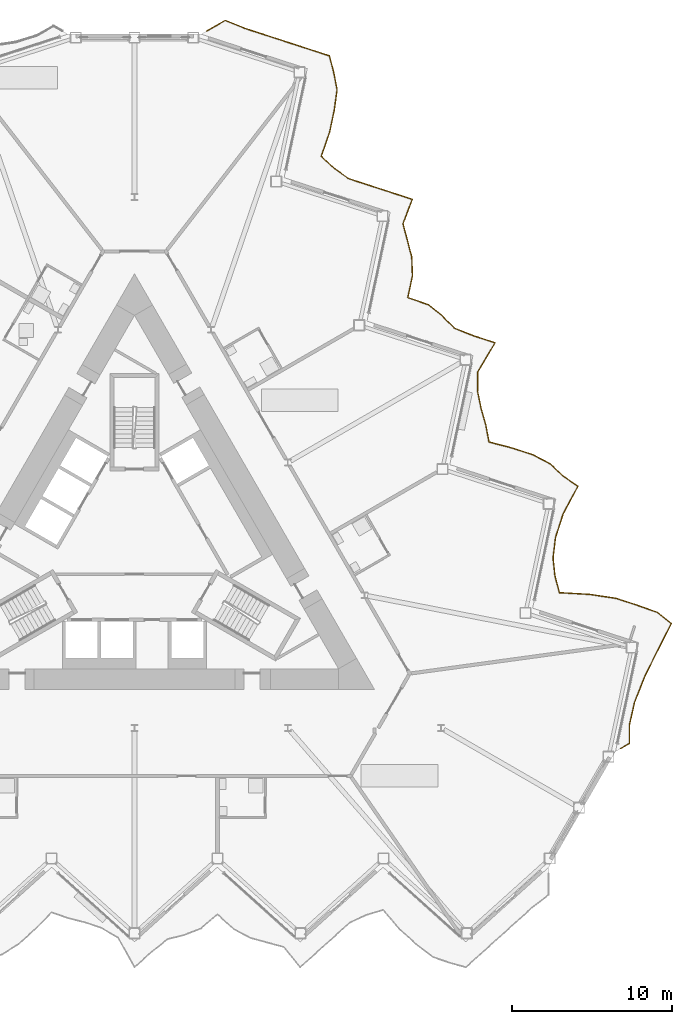
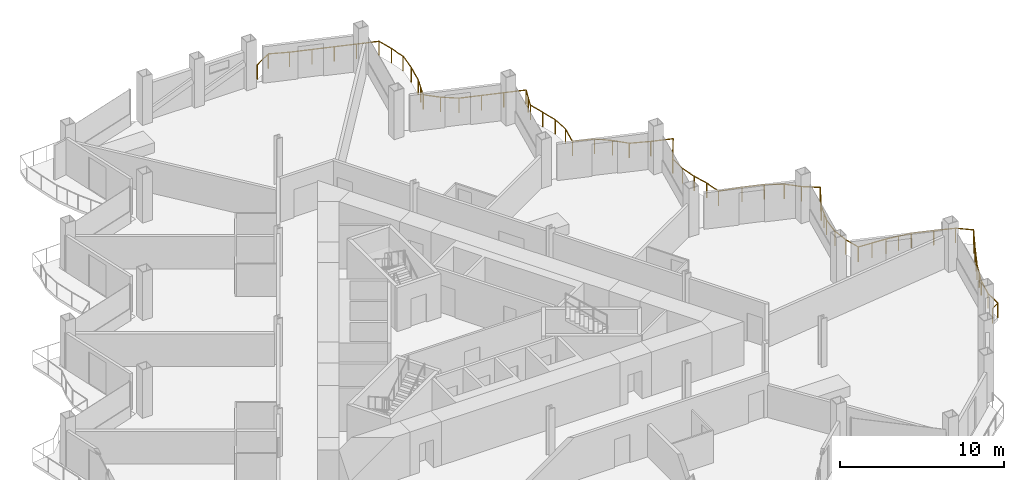
# One storey, part 21 of 23: 1 railing.
"""IFC4 building model written with IfcOpenShell, lengths in metres."""

from ifc_helpers import new_model, si_unit, direction, frame, origin, origin_2d, place, context, subcontext, project, spatial, circle, extrude, material, type_object, element, save


model = new_model("IFC4")

# Units and contexts
model_context = context("Model", 3, precision=1e-05, world=origin(), true_north=direction((0.0, 1.0)))
body_context = subcontext(model_context, "Body", "Model", "MODEL_VIEW")
ifc_project = project(units=[si_unit("LENGTHUNIT", "METRE"), si_unit("AREAUNIT", "SQUARE_METRE"), si_unit("VOLUMEUNIT", "CUBIC_METRE"), si_unit("PLANEANGLEUNIT", "RADIAN"), si_unit("MASSUNIT", "GRAM", prefix="KILO")], contexts=[model_context])

# Site, building, storey
site_placement = place(None, origin())
site = spatial("IfcSite", under=ifc_project, at=site_placement, CompositionType="ELEMENT")
building_placement = place(site_placement, origin())
building = spatial("IfcBuilding", under=site, at=building_placement, Name="Cormorant Prow Tower", CompositionType="ELEMENT")
storey_placement = place(building_placement, frame((0.0, 0.0, 249.0)))
storey = spatial("IfcBuildingStorey", under=building, at=storey_placement, Name="L55", CompositionType="ELEMENT", Elevation=249.0)

# Railing
ifc_material = material(Name="Aluminium 6063-T6", Category="aluminium")
railing_type = type_object("IfcRailingType", Name="Balcony guard 1100", PredefinedType="GUARDRAIL", material=ifc_material)
railing_placement = place(storey_placement, frame((30.37939453125, -12.34228515625, 0.0)))
element("IfcRailing", 1, at=railing_placement, inside=storey, type_object=railing_type, Name="Balcony guard ENE", PredefinedType="GUARDRAIL", context=body_context, shape_type="SweptSolid", body=[
    extrude(circle(Radius=0.02392578125, at=origin_2d()), frame((0.0, 0.0, 1.076171875), z_axis=(0.866204753408, 0.499689228594, 0.0), x_axis=(-0.499689228594, 0.866204753408, 0.0)), (0.0, 0.0, 1.0), 0.63623046875),
    extrude(circle(Radius=0.02392578125, at=origin_2d()), frame((0.551025390625, 0.31787109375, 1.076171875), z_axis=(0.002650887913, 0.99999648639, 0.0), x_axis=(-0.99999648639, 0.002650887913, 0.0)), (0.0, 0.0, 1.0), 1.197265625),
    extrude(circle(Radius=0.02392578125, at=origin_2d()), frame((0.55419921875, 1.51513671875, 1.076171875), z_axis=(0.220085341787, 0.975480621197, 0.0), x_axis=(-0.975480621197, 0.220085341787, 0.0)), (0.0, 0.0, 1.0), 1.40869140625),
    extrude(circle(Radius=0.02392578125, at=origin_2d()), frame((0.8642578125, 2.889404296875, 1.076171875), z_axis=(0.367163194895, 0.930156539683, 0.0), x_axis=(-0.930156539683, 0.367163194895, 0.0)), (0.0, 0.0, 1.0), 1.664306640625),
    extrude(circle(Radius=0.02392578125, at=origin_2d()), frame((1.475341796875, 4.4375, 1.076171875), z_axis=(0.440524924074, 0.897740380773, 0.0), x_axis=(-0.897740380773, 0.440524924074, 0.0)), (0.0, 0.0, 1.0), 1.857666015625),
    extrude(circle(Radius=0.02392578125, at=origin_2d()), frame((2.293701171875, 6.105224609375, 1.076171875), z_axis=(0.456399746897, 0.889774842886, 0.0), x_axis=(-0.889774842886, 0.456399746897, 0.0)), (0.0, 0.0, 1.0), 1.90869140625),
    extrude(circle(Radius=0.02392578125, at=origin_2d()), frame((3.164794921875, 7.803466796875, 1.076171875), z_axis=(-0.776161170753, 0.630534564489, 0.0), x_axis=(-0.630534564489, -0.776161170753, 0.0)), (0.0, 0.0, 1.0), 1.108154296875),
    extrude(circle(Radius=0.02392578125, at=origin_2d()), frame((2.3046875, 8.502197265625, 1.076171875), z_axis=(-0.942017958737, 0.335562461274, 0.0), x_axis=(-0.335562461274, -0.942017958737, 0.0)), (0.0, 0.0, 1.0), 1.359130859375),
    extrude(circle(Radius=0.02392578125, at=origin_2d()), frame((1.0244140625, 8.958251953125, 1.076171875), z_axis=(-0.951073984581, 0.308963227348, 0.0), x_axis=(-0.308963227348, -0.951073984581, 0.0)), (0.0, 0.0, 1.0), 1.39306640625),
    extrude(circle(Radius=0.02392578125, at=origin_2d()), frame((-0.300537109375, 9.388671875, 1.076171875), z_axis=(-0.989086538107, 0.147335739504, 0.0), x_axis=(-0.147335739504, -0.989086538107, 0.0)), (0.0, 0.0, 1.0), 1.66357421875),
    extrude(circle(Radius=0.02392578125, at=origin_2d()), frame((-1.946044921875, 9.6337890625, 1.076171875), z_axis=(-0.99835465144, 0.057340997094, 0.0), x_axis=(-0.057340997094, -0.99835465144, 0.0)), (0.0, 0.0, 1.0), 1.88623046875),
    extrude(circle(Radius=0.02392578125, at=origin_2d()), frame((-3.8291015625, 9.741943359375, 1.076171875), z_axis=(-0.259066355454, 0.965859525745, 0.0), x_axis=(-0.965859525745, -0.259066355454, 0.0)), (0.0, 0.0, 1.0), 1.071533203125),
    extrude(circle(Radius=0.02392578125, at=origin_2d()), frame((-4.106689453125, 10.77685546875, 1.076171875), z_axis=(-0.106974798109, 0.994261732427, 0.0), x_axis=(-0.994261732427, -0.106974798109, 0.0)), (0.0, 0.0, 1.0), 1.132080078125),
    extrude(circle(Radius=0.02392578125, at=origin_2d()), frame((-4.227783203125, 11.90234375, 1.076171875), z_axis=(0.120320103342, 0.992735147324, 0.0), x_axis=(-0.992735147324, 0.120320103342, 0.0)), (0.0, 0.0, 1.0), 1.294677734375),
    extrude(circle(Radius=0.02392578125, at=origin_2d()), frame((-4.072021484375, 13.1875, 1.076171875), z_axis=(0.305752765187, 0.95211094237, 0.0), x_axis=(-0.95211094237, 0.305752765187, 0.0)), (0.0, 0.0, 1.0), 1.541015625),
    extrude(circle(Radius=0.02392578125, at=origin_2d()), frame((-3.600830078125, 14.65478515625, 1.076171875), z_axis=(0.472907071696, 0.881112309266, 0.0), x_axis=(-0.881112309266, 0.472907071696, 0.0)), (0.0, 0.0, 1.0), 1.9658203125),
    extrude(circle(Radius=0.02392578125, at=origin_2d()), frame((-2.671142578125, 16.386962890625, 1.076171875), z_axis=(-0.823195618549, 0.567757847679, 0.0), x_axis=(-0.567757847679, -0.823195618549, 0.0)), (0.0, 0.0, 1.0), 1.14599609375),
    extrude(circle(Radius=0.02392578125, at=origin_2d()), frame((-3.614501953125, 17.03759765625, 1.076171875), z_axis=(-0.725298634831, 0.688434376185, 0.0), x_axis=(-0.688434376185, -0.725298634831, 0.0)), (0.0, 0.0, 1.0), 1.07958984375),
    extrude(circle(Radius=0.02392578125, at=origin_2d()), frame((-4.3974609375, 17.78076171875, 1.076171875), z_axis=(-0.883286506588, 0.468833602976, 0.0), x_axis=(-0.468833602976, -0.883286506588, 0.0)), (0.0, 0.0, 1.0), 1.22119140625),
    extrude(circle(Radius=0.02392578125, at=origin_2d()), frame((-5.47607421875, 18.353271484375, 1.076171875), z_axis=(-0.951057251471, 0.309014731726, 0.0), x_axis=(-0.309014731726, -0.951057251471, 0.0)), (0.0, 0.0, 1.0), 1.392822265625),
    extrude(circle(Radius=0.02392578125, at=origin_2d()), frame((-6.80078125, 18.78369140625, 1.076171875), z_axis=(-0.967831374767, 0.251599741687, 0.0), x_axis=(-0.251599741687, -0.967831374767, 0.0)), (0.0, 0.0, 1.0), 1.474853515625),
    extrude(circle(Radius=0.02392578125, at=origin_2d()), frame((-8.228271484375, 19.15478515625, 1.076171875), z_axis=(-0.185403804057, 0.982662418861, 0.0), x_axis=(-0.982662418861, -0.185403804057, 0.0)), (0.0, 0.0, 1.0), 1.096923828125),
    extrude(circle(Radius=0.02392578125, at=origin_2d()), frame((-8.431640625, 20.232666015625, 1.076171875), z_axis=(-0.27674611135, 0.960943073159, 0.0), x_axis=(-0.960943073159, -0.27674611135, 0.0)), (0.0, 0.0, 1.0), 1.066650390625),
    extrude(circle(Radius=0.02392578125, at=origin_2d()), frame((-8.726806640625, 21.257568359375, 1.076171875), z_axis=(-0.197620585875, 0.980278584913, 0.0), x_axis=(-0.980278584913, -0.197620585875, 0.0)), (0.0, 0.0, 1.0), 1.092041015625),
    extrude(circle(Radius=0.02392578125, at=origin_2d()), frame((-8.942626953125, 22.328125, 1.076171875), z_axis=(0.008737727797, 0.999961825328, 0.0), x_axis=(-0.999961825328, 0.008737727797, 0.0)), (0.0, 0.0, 1.0), 1.201416015625),
    extrude(circle(Radius=0.02392578125, at=origin_2d()), frame((-8.93212890625, 23.529541015625, 1.076171875), z_axis=(0.511801559716, 0.859103697741, 0.0), x_axis=(-0.859103697741, 0.511801559716, 0.0)), (0.0, 0.0, 1.0), 2.120849609375),
    extrude(circle(Radius=0.02392578125, at=origin_2d()), frame((-7.8466796875, 25.3515625, 1.076171875), z_axis=(-0.951057251471, 0.309014731726, 0.0), x_axis=(-0.309014731726, -0.951057251471, 0.0)), (0.0, 0.0, 1.0), 1.392822265625),
    extrude(circle(Radius=0.02392578125, at=origin_2d()), frame((-9.17138671875, 25.781982421875, 1.076171875), z_axis=(-0.930461790481, 0.366388941501, 0.0), x_axis=(-0.366388941501, -0.930461790481, 0.0)), (0.0, 0.0, 1.0), 1.32275390625),
    extrude(circle(Radius=0.02392578125, at=origin_2d()), frame((-10.402099609375, 26.2666015625, 1.076171875), z_axis=(-0.696859617534, 0.717207552561, 0.0), x_axis=(-0.717207552561, -0.696859617534, 0.0)), (0.0, 0.0, 1.0), 1.06787109375),
    extrude(circle(Radius=0.02392578125, at=origin_2d()), frame((-11.146240234375, 27.032470703125, 1.076171875), z_axis=(-0.779386199189, 0.626543815319, 0.0), x_axis=(-0.626543815319, -0.779386199189, 0.0)), (0.0, 0.0, 1.0), 1.110107421875),
    extrude(circle(Radius=0.02392578125, at=origin_2d()), frame((-12.011474609375, 27.72802734375, 1.076171875), z_axis=(-0.944047606344, 0.329809212966, 0.0), x_axis=(-0.329809212966, -0.944047606344, 0.0)), (0.0, 0.0, 1.0), 1.366455078125),
    extrude(circle(Radius=0.02392578125, at=origin_2d()), frame((-13.301513671875, 28.1787109375, 1.076171875), z_axis=(0.208032727926, 0.978121865675, 0.0), x_axis=(-0.978121865675, 0.208032727926, 0.0)), (0.0, 0.0, 1.0), 1.39306640625),
    extrude(circle(Radius=0.02392578125, at=origin_2d()), frame((-13.01171875, 29.541259765625, 1.076171875), z_axis=(-0.038176741848, 0.999271002472, 0.0), x_axis=(-0.999271002472, -0.038176741848, 0.0)), (0.0, 0.0, 1.0), 1.170166015625),
    extrude(circle(Radius=0.02392578125, at=origin_2d()), frame((-13.056396484375, 30.710693359375, 1.076171875), z_axis=(-0.25269039223, 0.967547190412, 0.0), x_axis=(-0.967547190412, -0.25269039223, 0.0)), (0.0, 0.0, 1.0), 1.073486328125),
    extrude(circle(Radius=0.02392578125, at=origin_2d()), frame((-13.32763671875, 31.749267578125, 1.076171875), z_axis=(-0.256812329008, 0.966461291346, 0.0), x_axis=(-0.966461291346, -0.256812329008, 0.0)), (0.0, 0.0, 1.0), 1.072265625),
    extrude(circle(Radius=0.02392578125, at=origin_2d()), frame((-13.60302734375, 32.78564453125, 1.076171875), z_axis=(0.354667722284, 0.934992410007, 0.0), x_axis=(-0.934992410007, 0.354667722284, 0.0)), (0.0, 0.0, 1.0), 1.636962890625),
    extrude(circle(Radius=0.02392578125, at=origin_2d()), frame((-13.0224609375, 34.316162109375, 1.076171875), z_axis=(-0.951057251471, 0.309014731726, 0.0), x_axis=(-0.309014731726, -0.951057251471, 0.0)), (0.0, 0.0, 1.0), 1.392822265625),
    extrude(circle(Radius=0.02392578125, at=origin_2d()), frame((-14.34716796875, 34.74658203125, 1.076171875), z_axis=(-0.951057251471, 0.309014731726, 0.0), x_axis=(-0.309014731726, -0.951057251471, 0.0)), (0.0, 0.0, 1.0), 1.392822265625),
    extrude(circle(Radius=0.02392578125, at=origin_2d()), frame((-15.671875, 35.177001953125, 1.076171875), z_axis=(-0.951057251471, 0.309014731726, 0.0), x_axis=(-0.309014731726, -0.951057251471, 0.0)), (0.0, 0.0, 1.0), 1.392822265625),
    extrude(circle(Radius=0.02392578125, at=origin_2d()), frame((-16.99658203125, 35.607421875, 1.076171875), z_axis=(-0.814977832879, 0.579492132747, 0.0), x_axis=(-0.579492132747, -0.814977832879, 0.0)), (0.0, 0.0, 1.0), 1.138427734375),
    extrude(circle(Radius=0.02392578125, at=origin_2d()), frame((-17.92431640625, 36.26708984375, 1.076171875), z_axis=(-0.727695719565, 0.685900094567, 0.0), x_axis=(-0.685900094567, -0.727695719565, 0.0)), (0.0, 0.0, 1.0), 1.08056640625),
    extrude(circle(Radius=0.02392578125, at=origin_2d()), frame((-18.710693359375, 37.00830078125, 1.076171875), z_axis=(0.329863576725, 0.944028612252, 0.0), x_axis=(-0.944028612252, 0.329863576725, 0.0)), (0.0, 0.0, 1.0), 1.586181640625),
    extrude(circle(Radius=0.02392578125, at=origin_2d()), frame((-18.1875, 38.505615234375, 1.076171875), z_axis=(0.207865044312, 0.978157514592, 0.0), x_axis=(-0.978157514592, 0.207865044312, 0.0)), (0.0, 0.0, 1.0), 1.39306640625),
    extrude(circle(Radius=0.02392578125, at=origin_2d()), frame((-17.89794921875, 39.8681640625, 1.076171875), z_axis=(0.134838558459, 0.990867581038, 0.0), x_axis=(-0.990867581038, 0.134838558459, 0.0)), (0.0, 0.0, 1.0), 1.30908203125),
    extrude(circle(Radius=0.02392578125, at=origin_2d()), frame((-17.721435546875, 41.165283203125, 1.076171875), z_axis=(-0.189938725349, 0.981795946525, 0.0), x_axis=(-0.981795946525, -0.189938725349, 0.0)), (0.0, 0.0, 1.0), 1.09521484375),
    extrude(circle(Radius=0.02392578125, at=origin_2d()), frame((-17.929443359375, 42.240478515625, 1.076171875), z_axis=(-0.250173509291, 0.968201020062, 0.0), x_axis=(-0.968201020062, -0.250173509291, 0.0)), (0.0, 0.0, 1.0), 1.074462890625),
    extrude(circle(Radius=0.02392578125, at=origin_2d()), frame((-18.1982421875, 43.28076171875, 1.076171875), z_axis=(-0.951057251471, 0.309014731726, 0.0), x_axis=(-0.309014731726, -0.951057251471, 0.0)), (0.0, 0.0, 1.0), 1.392822265625),
    extrude(circle(Radius=0.02392578125, at=origin_2d()), frame((-19.52294921875, 43.711181640625, 1.076171875), z_axis=(-0.951057251471, 0.309014731726, 0.0), x_axis=(-0.309014731726, -0.951057251471, 0.0)), (0.0, 0.0, 1.0), 1.392822265625),
    extrude(circle(Radius=0.02392578125, at=origin_2d()), frame((-20.84765625, 44.1416015625, 1.076171875), z_axis=(-0.951057251471, 0.309014731726, 0.0), x_axis=(-0.309014731726, -0.951057251471, 0.0)), (0.0, 0.0, 1.0), 1.392822265625),
    extrude(circle(Radius=0.02392578125, at=origin_2d()), frame((-22.17236328125, 44.572021484375, 1.076171875), z_axis=(-0.951073984581, 0.308963227348, 0.0), x_axis=(-0.308963227348, -0.951073984581, 0.0)), (0.0, 0.0, 1.0), 1.39306640625),
    extrude(circle(Radius=0.02392578125, at=origin_2d()), frame((-23.497314453125, 45.00244140625, 1.076171875), z_axis=(-0.926434113038, 0.376456948666, 0.0), x_axis=(-0.376456948666, -0.926434113038, 0.0)), (0.0, 0.0, 1.0), 1.311279296875),
    extrude(circle(Radius=0.02392578125, at=origin_2d()), frame((-24.712158203125, 45.49609375, 1.076171875), z_axis=(-0.866104076882, -0.499863709433, 0.0), x_axis=(0.499863709433, -0.866104076882, 0.0)), (0.0, 0.0, 1.0), 1.3466796875),
    extrude(circle(Radius=0.02099609375, at=origin_2d()), origin(), (0.0, 0.0, 1.0), 1.052001953125),
    extrude(circle(Radius=0.02099609375, at=origin_2d()), frame((0.551025390625, 0.31787109375, 0.0)), (0.0, 0.0, 1.0), 1.052001953125),
    extrude(circle(Radius=0.02099609375, at=origin_2d()), frame((0.55419921875, 1.51513671875, 0.0)), (0.0, 0.0, 1.0), 1.052001953125),
    extrude(circle(Radius=0.02099609375, at=origin_2d()), frame((0.8642578125, 2.889404296875, 0.0)), (0.0, 0.0, 1.0), 1.052001953125),
    extrude(circle(Radius=0.02099609375, at=origin_2d()), frame((1.169921875, 3.66357421875, 0.0)), (0.0, 0.0, 1.0), 1.052001953125),
    extrude(circle(Radius=0.02099609375, at=origin_2d()), frame((1.475341796875, 4.4375, 0.0)), (0.0, 0.0, 1.0), 1.052001953125),
    extrude(circle(Radius=0.02099609375, at=origin_2d()), frame((1.884521484375, 5.271484375, 0.0)), (0.0, 0.0, 1.0), 1.052001953125),
    extrude(circle(Radius=0.02099609375, at=origin_2d()), frame((2.293701171875, 6.105224609375, 0.0)), (0.0, 0.0, 1.0), 1.052001953125),
    extrude(circle(Radius=0.02099609375, at=origin_2d()), frame((2.729248046875, 6.954345703125, 0.0)), (0.0, 0.0, 1.0), 1.052001953125),
    extrude(circle(Radius=0.02099609375, at=origin_2d()), frame((3.164794921875, 7.803466796875, 0.0)), (0.0, 0.0, 1.0), 1.052001953125),
    extrude(circle(Radius=0.02099609375, at=origin_2d()), frame((2.3046875, 8.502197265625, 0.0)), (0.0, 0.0, 1.0), 1.052001953125),
    extrude(circle(Radius=0.02099609375, at=origin_2d()), frame((1.0244140625, 8.958251953125, 0.0)), (0.0, 0.0, 1.0), 1.052001953125),
    extrude(circle(Radius=0.02099609375, at=origin_2d()), frame((-0.300537109375, 9.388671875, 0.0)), (0.0, 0.0, 1.0), 1.052001953125),
    extrude(circle(Radius=0.02099609375, at=origin_2d()), frame((-1.123291015625, 9.51123046875, 0.0)), (0.0, 0.0, 1.0), 1.052001953125),
    extrude(circle(Radius=0.02099609375, at=origin_2d()), frame((-1.946044921875, 9.6337890625, 0.0)), (0.0, 0.0, 1.0), 1.052001953125),
    extrude(circle(Radius=0.02099609375, at=origin_2d()), frame((-2.8876953125, 9.68798828125, 0.0)), (0.0, 0.0, 1.0), 1.052001953125),
    extrude(circle(Radius=0.02099609375, at=origin_2d()), frame((-3.8291015625, 9.741943359375, 0.0)), (0.0, 0.0, 1.0), 1.052001953125),
    extrude(circle(Radius=0.02099609375, at=origin_2d()), frame((-4.106689453125, 10.77685546875, 0.0)), (0.0, 0.0, 1.0), 1.052001953125),
    extrude(circle(Radius=0.02099609375, at=origin_2d()), frame((-4.227783203125, 11.90234375, 0.0)), (0.0, 0.0, 1.0), 1.052001953125),
    extrude(circle(Radius=0.02099609375, at=origin_2d()), frame((-4.072021484375, 13.1875, 0.0)), (0.0, 0.0, 1.0), 1.052001953125),
    extrude(circle(Radius=0.02099609375, at=origin_2d()), frame((-3.83642578125, 13.921142578125, 0.0)), (0.0, 0.0, 1.0), 1.052001953125),
    extrude(circle(Radius=0.02099609375, at=origin_2d()), frame((-3.600830078125, 14.65478515625, 0.0)), (0.0, 0.0, 1.0), 1.052001953125),
    extrude(circle(Radius=0.02099609375, at=origin_2d()), frame((-3.135986328125, 15.52099609375, 0.0)), (0.0, 0.0, 1.0), 1.052001953125),
    extrude(circle(Radius=0.02099609375, at=origin_2d()), frame((-2.671142578125, 16.386962890625, 0.0)), (0.0, 0.0, 1.0), 1.052001953125),
    extrude(circle(Radius=0.02099609375, at=origin_2d()), frame((-3.614501953125, 17.03759765625, 0.0)), (0.0, 0.0, 1.0), 1.052001953125),
    extrude(circle(Radius=0.02099609375, at=origin_2d()), frame((-4.3974609375, 17.78076171875, 0.0)), (0.0, 0.0, 1.0), 1.052001953125),
    extrude(circle(Radius=0.02099609375, at=origin_2d()), frame((-5.47607421875, 18.353271484375, 0.0)), (0.0, 0.0, 1.0), 1.052001953125),
    extrude(circle(Radius=0.02099609375, at=origin_2d()), frame((-6.80078125, 18.78369140625, 0.0)), (0.0, 0.0, 1.0), 1.052001953125),
    extrude(circle(Radius=0.02099609375, at=origin_2d()), frame((-8.228271484375, 19.15478515625, 0.0)), (0.0, 0.0, 1.0), 1.052001953125),
    extrude(circle(Radius=0.02099609375, at=origin_2d()), frame((-8.431640625, 20.232666015625, 0.0)), (0.0, 0.0, 1.0), 1.052001953125),
    extrude(circle(Radius=0.02099609375, at=origin_2d()), frame((-8.726806640625, 21.257568359375, 0.0)), (0.0, 0.0, 1.0), 1.052001953125),
    extrude(circle(Radius=0.02099609375, at=origin_2d()), frame((-8.942626953125, 22.328125, 0.0)), (0.0, 0.0, 1.0), 1.052001953125),
    extrude(circle(Radius=0.02099609375, at=origin_2d()), frame((-8.93212890625, 23.529541015625, 0.0)), (0.0, 0.0, 1.0), 1.052001953125),
    extrude(circle(Radius=0.02099609375, at=origin_2d()), frame((-8.389404296875, 24.4404296875, 0.0)), (0.0, 0.0, 1.0), 1.052001953125),
    extrude(circle(Radius=0.02099609375, at=origin_2d()), frame((-7.8466796875, 25.3515625, 0.0)), (0.0, 0.0, 1.0), 1.052001953125),
    extrude(circle(Radius=0.02099609375, at=origin_2d()), frame((-9.17138671875, 25.781982421875, 0.0)), (0.0, 0.0, 1.0), 1.052001953125),
    extrude(circle(Radius=0.02099609375, at=origin_2d()), frame((-10.402099609375, 26.2666015625, 0.0)), (0.0, 0.0, 1.0), 1.052001953125),
    extrude(circle(Radius=0.02099609375, at=origin_2d()), frame((-11.146240234375, 27.032470703125, 0.0)), (0.0, 0.0, 1.0), 1.052001953125),
    extrude(circle(Radius=0.02099609375, at=origin_2d()), frame((-12.011474609375, 27.72802734375, 0.0)), (0.0, 0.0, 1.0), 1.052001953125),
    extrude(circle(Radius=0.02099609375, at=origin_2d()), frame((-13.301513671875, 28.1787109375, 0.0)), (0.0, 0.0, 1.0), 1.052001953125),
    extrude(circle(Radius=0.02099609375, at=origin_2d()), frame((-13.01171875, 29.541259765625, 0.0)), (0.0, 0.0, 1.0), 1.052001953125),
    extrude(circle(Radius=0.02099609375, at=origin_2d()), frame((-13.056396484375, 30.710693359375, 0.0)), (0.0, 0.0, 1.0), 1.052001953125),
    extrude(circle(Radius=0.02099609375, at=origin_2d()), frame((-13.32763671875, 31.749267578125, 0.0)), (0.0, 0.0, 1.0), 1.052001953125),
    extrude(circle(Radius=0.02099609375, at=origin_2d()), frame((-13.60302734375, 32.78564453125, 0.0)), (0.0, 0.0, 1.0), 1.052001953125),
    extrude(circle(Radius=0.02099609375, at=origin_2d()), frame((-13.312744140625, 33.55078125, 0.0)), (0.0, 0.0, 1.0), 1.052001953125),
    extrude(circle(Radius=0.02099609375, at=origin_2d()), frame((-13.0224609375, 34.316162109375, 0.0)), (0.0, 0.0, 1.0), 1.052001953125),
    extrude(circle(Radius=0.02099609375, at=origin_2d()), frame((-14.34716796875, 34.74658203125, 0.0)), (0.0, 0.0, 1.0), 1.052001953125),
    extrude(circle(Radius=0.02099609375, at=origin_2d()), frame((-15.671875, 35.177001953125, 0.0)), (0.0, 0.0, 1.0), 1.052001953125),
    extrude(circle(Radius=0.02099609375, at=origin_2d()), frame((-16.99658203125, 35.607421875, 0.0)), (0.0, 0.0, 1.0), 1.052001953125),
    extrude(circle(Radius=0.02099609375, at=origin_2d()), frame((-17.92431640625, 36.26708984375, 0.0)), (0.0, 0.0, 1.0), 1.052001953125),
    extrude(circle(Radius=0.02099609375, at=origin_2d()), frame((-18.710693359375, 37.00830078125, 0.0)), (0.0, 0.0, 1.0), 1.052001953125),
    extrude(circle(Radius=0.02099609375, at=origin_2d()), frame((-18.44921875, 37.7568359375, 0.0)), (0.0, 0.0, 1.0), 1.052001953125),
    extrude(circle(Radius=0.02099609375, at=origin_2d()), frame((-18.1875, 38.505615234375, 0.0)), (0.0, 0.0, 1.0), 1.052001953125),
    extrude(circle(Radius=0.02099609375, at=origin_2d()), frame((-17.89794921875, 39.8681640625, 0.0)), (0.0, 0.0, 1.0), 1.052001953125),
    extrude(circle(Radius=0.02099609375, at=origin_2d()), frame((-17.721435546875, 41.165283203125, 0.0)), (0.0, 0.0, 1.0), 1.052001953125),
    extrude(circle(Radius=0.02099609375, at=origin_2d()), frame((-17.929443359375, 42.240478515625, 0.0)), (0.0, 0.0, 1.0), 1.052001953125),
    extrude(circle(Radius=0.02099609375, at=origin_2d()), frame((-18.1982421875, 43.28076171875, 0.0)), (0.0, 0.0, 1.0), 1.052001953125),
    extrude(circle(Radius=0.02099609375, at=origin_2d()), frame((-19.52294921875, 43.711181640625, 0.0)), (0.0, 0.0, 1.0), 1.052001953125),
    extrude(circle(Radius=0.02099609375, at=origin_2d()), frame((-20.84765625, 44.1416015625, 0.0)), (0.0, 0.0, 1.0), 1.052001953125),
    extrude(circle(Radius=0.02099609375, at=origin_2d()), frame((-22.17236328125, 44.572021484375, 0.0)), (0.0, 0.0, 1.0), 1.052001953125),
    extrude(circle(Radius=0.02099609375, at=origin_2d()), frame((-23.497314453125, 45.00244140625, 0.0)), (0.0, 0.0, 1.0), 1.052001953125),
    extrude(circle(Radius=0.02099609375, at=origin_2d()), frame((-24.712158203125, 45.49609375, 0.0)), (0.0, 0.0, 1.0), 1.052001953125),
    extrude(circle(Radius=0.02099609375, at=origin_2d()), frame((-25.87841796875, 44.822998046875, 0.0)), (0.0, 0.0, 1.0), 1.052001953125),
])

save(model, "model.ifc")
